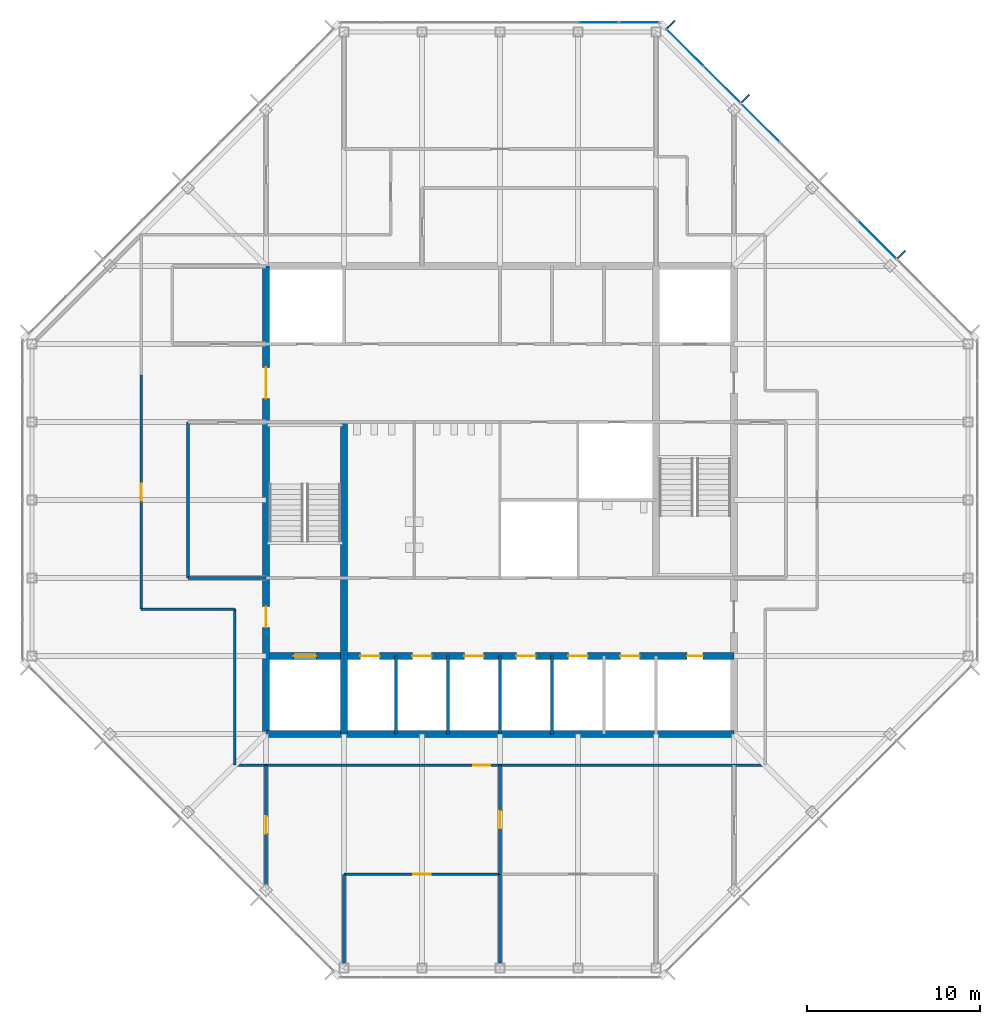
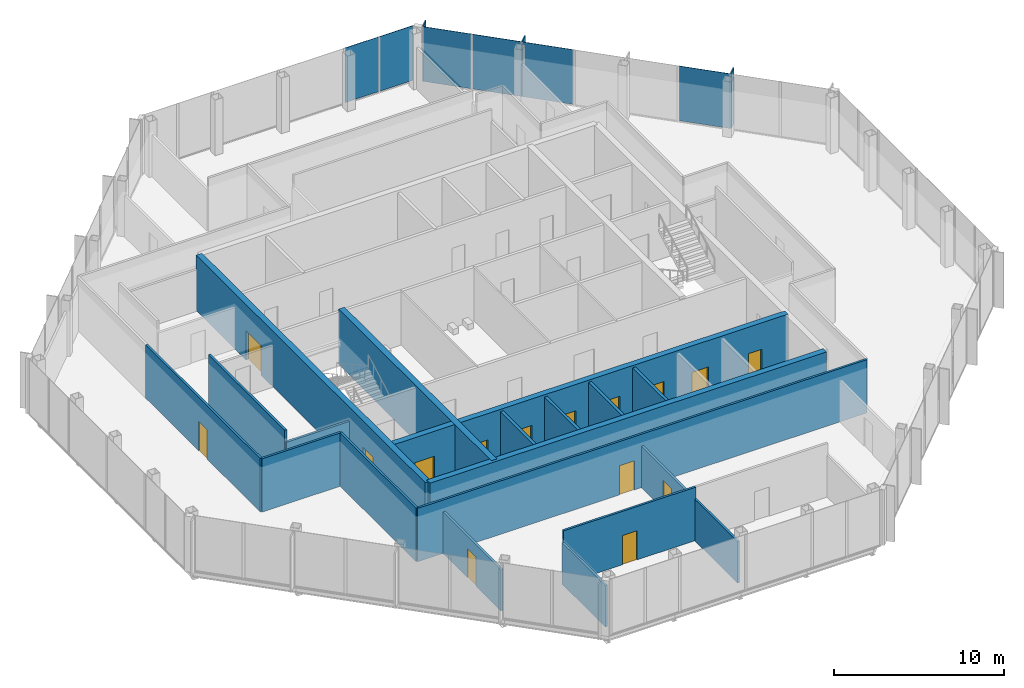
# One storey, part 9 of 13: 19 walls, 15 doors, 9 plates, 15 openings, 2 elements without a shape of their own.
"""IFC4 building model written with IfcOpenShell, lengths in metres."""

from ifc_helpers import new_model, si_unit, direction, frame, frame_2d, origin, origin_2d, place, context, subcontext, project, spatial, rectangle, extrude, material, layer, layer_set, type_object, element, fill, aggregate, save


model = new_model("IFC4")

# Units and contexts
model_context = context("Model", 3, precision=1e-05, world=origin(), true_north=direction((0.0, 1.0)))
body_context = subcontext(model_context, "Body", "Model", "MODEL_VIEW")
ifc_project = project(units=[si_unit("LENGTHUNIT", "METRE"), si_unit("AREAUNIT", "SQUARE_METRE"), si_unit("VOLUMEUNIT", "CUBIC_METRE"), si_unit("PLANEANGLEUNIT", "RADIAN"), si_unit("MASSUNIT", "GRAM", prefix="KILO")], contexts=[model_context])

# Site, building, storey
site_placement = place(None, origin())
site = spatial("IfcSite", under=ifc_project, at=site_placement, CompositionType="ELEMENT")
building_placement = place(site_placement, origin())
building = spatial("IfcBuilding", under=site, at=building_placement, Name="Corais Broadcast Tower", CompositionType="ELEMENT")
storey_placement = place(building_placement, frame((0.0, 0.0, 302.60009765625)))
storey = spatial("IfcBuildingStorey", under=building, at=storey_placement, Name="L71", CompositionType="ELEMENT", Elevation=302.60009765625)

# Curtain wall, plate
ifc_material_1 = material(Name="Aluminium and glass", Category="aluminium")
curtain_wall_type = type_object("IfcCurtainWallType", Name="Unitised fritted curtain wall CW3", PredefinedType="NOTDEFINED", material=ifc_material_1)
curtain_wall_1_placement = place(storey_placement, origin())
curtain_wall_1 = element("IfcCurtainWall", 1, at=curtain_wall_1_placement, inside=storey, type_object=curtain_wall_type, Name="CW3 curtain wall L71 4", PredefinedType="NOTDEFINED")
ifc_material_2 = material(Name="Ceramic-fritted laminated glass", Category="glass")
ifc_layer_1 = layer(ifc_material_2, 0.02587890625)
ifc_layer_set_1 = layer_set([ifc_layer_1], Name="Ceramic-fritted laminated glass")
plate_type_1 = type_object("IfcPlateType", Name="Fritted glass panel CW3", PredefinedType="CURTAIN_PANEL", material=ifc_layer_set_1)
plate_1_placement = place(storey_placement, frame((32.681884765625, 54.550048828125, 0.06494140625), z_axis=(0.0, 0.0, 1.0), x_axis=(1.0, 0.0, 0.0)))
plate_1 = element("IfcPlate", 2, at=plate_1_placement, type_object=plate_type_1, Name="CW3 panel 5", PredefinedType="CURTAIN_PANEL", context=body_context, shape_type="SweptSolid", body=[
    extrude(rectangle(XDim=2.298828125, YDim=0.02587890625, at=origin_2d()), origin(), (0.0, 0.0, 1.0), 3.93505859375),
])

# Curtain wall, plates
curtain_wall_2_placement = place(storey_placement, origin())
curtain_wall_2 = element("IfcCurtainWall", 3, at=curtain_wall_2_placement, inside=storey, type_object=curtain_wall_type, Name="CW3 curtain wall L71 5", PredefinedType="NOTDEFINED")
plate_2_placement = place(storey_placement, frame((37.669677734375, 53.108154296875, 0.06494140625), z_axis=(0.0, 0.0, 1.0), x_axis=(0.707106781187, -0.707106781187, 0.0)))
plate_2 = element("IfcPlate", 4, at=plate_2_placement, type_object=plate_type_1, Name="CW3 panel 1", PredefinedType="CURTAIN_PANEL", context=body_context, shape_type="SweptSolid", body=[
    extrude(rectangle(XDim=2.9482421875, YDim=0.02587890625, at=origin_2d()), origin(), (0.0, 0.0, 1.0), 3.93505859375),
])
plate_3_placement = place(storey_placement, frame((42.013916015625, 48.763916015625, 0.06494140625), z_axis=(0.0, 0.0, 1.0), x_axis=(0.707106781187, -0.707106781187, 0.0)))
plate_3 = element("IfcPlate", 5, at=plate_3_placement, type_object=plate_type_1, Name="CW3 panel 3", PredefinedType="CURTAIN_PANEL", context=body_context, shape_type="SweptSolid", body=[
    extrude(rectangle(XDim=3.116943359375, YDim=0.02587890625, at=origin_2d()), origin(), (0.0, 0.0, 1.0), 3.93505859375),
])

# Plate
ifc_material_3 = material(Name="Clear laminated glass", Category="glass")
ifc_layer_2 = layer(ifc_material_3, 0.030029296875)
ifc_layer_set_2 = layer_set([ifc_layer_2], Name="Clear laminated glass")
plate_type_2 = type_object("IfcPlateType", Name="Operable glass panel CW3", PredefinedType="CURTAIN_PANEL", material=ifc_layer_set_2)
plate_4_placement = place(storey_placement, frame((35.029541015625, 54.550048828125, 0.06494140625), z_axis=(0.0, 0.0, 1.0), x_axis=(1.0, 0.0, 0.0)))
plate_4 = element("IfcPlate", 6, at=plate_4_placement, type_object=plate_type_2, Name="CW3 operable panel 6", PredefinedType="CURTAIN_PANEL", context=body_context, shape_type="SweptSolid", body=[
    extrude(rectangle(XDim=2.266357421875, YDim=0.030029296875, at=origin_2d()), origin(), (0.0, 0.0, 1.0), 3.93505859375),
])

aggregate(curtain_wall_1, [plate_1, plate_4])

plate_5_placement = place(storey_placement, frame((39.81201171875, 50.9658203125, 0.06494140625), z_axis=(0.0, 0.0, 1.0), x_axis=(0.707106781187, -0.707106781187, 0.0)))
plate_5 = element("IfcPlate", 7, at=plate_5_placement, type_object=plate_type_2, Name="CW3 operable panel 2", PredefinedType="CURTAIN_PANEL", context=body_context, shape_type="SweptSolid", body=[
    extrude(rectangle(XDim=2.98095703125, YDim=0.030029296875, at=origin_2d()), origin(), (0.0, 0.0, 1.0), 3.93505859375),
])

plate_6_placement = place(storey_placement, frame((48.763916015625, 42.013916015625, 0.06494140625), z_axis=(0.0, 0.0, 1.0), x_axis=(0.707106781187, -0.707106781187, 0.0)))
plate_6 = element("IfcPlate", 8, at=plate_6_placement, type_object=plate_type_2, Name="CW3 operable panel 6", PredefinedType="CURTAIN_PANEL", context=body_context, shape_type="SweptSolid", body=[
    extrude(rectangle(XDim=3.116943359375, YDim=0.030029296875, at=origin_2d()), origin(), (0.0, 0.0, 1.0), 3.93505859375),
])

aggregate(curtain_wall_2, [plate_2, plate_5, plate_3, plate_6])

# Plates
ifc_material_4 = material(Name="Granite stone cladding", Category="masonry")
ifc_layer_3 = layer(ifc_material_4, 0.080078125)
ifc_layer_set_3 = layer_set([ifc_layer_3], Name="Granite stone cladding")
plate_type_3 = type_object("IfcPlateType", Name="Stone screen fin 80x600", PredefinedType="USERDEFINED", material=ifc_layer_set_3)
for number, where, z_axis, x_axis, name in (
    (9, (36.870849609375, 54.43994140625, 0.0), (0.0, 0.0, 1.0), (0.707106781187, -0.707106781187, 0.0), "SF1 stone screen fin L71"),
    (10, (41.155517578125, 50.155517578125, 0.0), (0.0, 0.0, 1.0), (0.707106781187, -0.707106781187, 0.0), "SF1 stone screen fin L71"),
    (11, (50.155517578125, 41.155517578125, 0.0), (0.0, 0.0, 1.0), (0.707106781187, -0.707106781187, 0.0), "SF1 stone screen fin L71"),
):
    element("IfcPlate", number, at=place(storey_placement, frame(where, z_axis=z_axis, x_axis=x_axis)), inside=storey, type_object=plate_type_3, Name=name, ObjectType="STONE SCREEN FIN", PredefinedType="USERDEFINED", context=body_context, shape_type="SweptSolid", body=[
        extrude(rectangle(XDim=0.080078125, YDim=0.60009765625, at=origin_2d()), origin(), (0.0, 0.0, 1.0), 4.0),
    ])

# Wall
ifc_material_5 = material(Name="Concrete C50/60", Category="concrete")
ifc_layer_4 = layer(ifc_material_5, 0.39990234375)
ifc_layer_set_4 = layer_set([ifc_layer_4], Name="Concrete C50/60")
wall_type_1 = type_object("IfcWallType", Name="Core wall 400", PredefinedType="SHEAR", material=ifc_layer_set_4)
wall_1_placement = place(storey_placement, frame((13.5, 13.5, 0.0), z_axis=(0.0, 0.0, 1.0), x_axis=(1.0, 0.0, 0.0)))
element("IfcWall", 12, at=wall_1_placement, inside=storey, type_object=wall_type_1, Name="CR400 core wall S L71", PredefinedType="SHEAR", context=body_context, shape_type="SweptSolid", body=[
    extrude(rectangle(XDim=27.0, YDim=0.39990234375, at=frame_2d((13.5, 0.0))), origin(), (0.0, 0.0, 1.0), 4.0),
])

# Wall, openings, doors
wall_2_placement = place(storey_placement, frame((13.5, 40.5, 0.0), z_axis=(0.0, 0.0, 1.0), x_axis=(0.0, -1.0, 0.0)))
wall_2 = element("IfcWall", 13, at=wall_2_placement, inside=storey, type_object=wall_type_1, Name="CR400 core wall W L71", PredefinedType="SHEAR", context=body_context, shape_type="SweptSolid", body=[
    extrude(rectangle(XDim=27.0, YDim=0.39990234375, at=frame_2d((13.5, 0.0))), origin(), (0.0, 0.0, 1.0), 4.0),
])
opening_1_placement = place(wall_2_placement, frame((19.64990234375, 0.0, 0.0)))
opening_1 = element("IfcOpeningElement", 14, at=opening_1_placement, cuts=wall_2, Name="Opening FD1", PredefinedType="OPENING", context=body_context, shape_type="SweptSolid", body=[
    extrude(rectangle(XDim=1.199951171875, YDim=2.10009765625, at=frame_2d((0.60009765625, 1.050048828125))), frame((0.0, 0.2099609375, 0.0), z_axis=(0.0, -1.0, 0.0), x_axis=(1.0, 0.0, 0.0)), (0.0, 0.0, 1.0), 0.419921875),
])
opening_2_placement = place(wall_2_placement, frame((5.85009765625, 0.0, 0.0)))
opening_2 = element("IfcOpeningElement", 15, at=opening_2_placement, cuts=wall_2, Name="Opening FD2", PredefinedType="OPENING", context=body_context, shape_type="SweptSolid", body=[
    extrude(rectangle(XDim=1.800048828125, YDim=2.10009765625, at=frame_2d((0.89990234375, 1.050048828125))), frame((0.0, 0.2099609375, 0.0), z_axis=(0.0, -1.0, 0.0), x_axis=(1.0, 0.0, 0.0)), (0.0, 0.0, 1.0), 0.419921875),
])
ifc_material_6 = material(Name="Steel fire door", Category="steel")
door_type_1 = type_object("IfcDoorType", Name="Fire door 1200x2100", OperationType="SINGLE_SWING_LEFT", PredefinedType="DOOR", material=ifc_material_6)
door_1_placement = place(opening_1_placement, origin())
door_1 = element("IfcDoor", 16, at=door_1_placement, inside=storey, type_object=door_type_1, Name="FD1 fire lobby A door L71", OperationType="SINGLE_SWING_RIGHT", OverallHeight=2.10009765625, OverallWidth=1.199951171875, PredefinedType="DOOR", context=body_context, shape_type="SweptSolid", body=[
    extrude(rectangle(XDim=1.199951171875, YDim=2.10009765625, at=frame_2d((0.60009765625, 1.050048828125))), frame((0.0, 0.02490234375, 0.0), z_axis=(0.0, -1.0, 0.0), x_axis=(1.0, 0.0, 0.0)), (0.0, 0.0, 1.0), 0.050048828125),
])
fill(opening_1, door_1)
ifc_material_7 = material(Name="Steel fire door", Category="steel")
door_type_2 = type_object("IfcDoorType", Name="Fire door pair 1800x2100", OperationType="DOUBLE_DOOR_SINGLE_SWING", PredefinedType="DOOR", material=ifc_material_7)
door_2_placement = place(opening_2_placement, origin())
door_2 = element("IfcDoor", 17, at=door_2_placement, inside=storey, type_object=door_type_2, Name="FD2 lift lobby door L71", OperationType="SINGLE_SWING_LEFT", OverallHeight=2.10009765625, OverallWidth=1.800048828125, PredefinedType="DOOR", context=body_context, shape_type="SweptSolid", body=[
    extrude(rectangle(XDim=1.800048828125, YDim=2.10009765625, at=frame_2d((0.89990234375, 1.050048828125))), frame((0.0, 0.02490234375, 0.0), z_axis=(0.0, -1.0, 0.0), x_axis=(1.0, 0.0, 0.0)), (0.0, 0.0, 1.0), 0.050048828125),
])
fill(opening_2, door_2)

# Wall
wall_3_placement = place(storey_placement, frame((18.0, 13.5, 0.0), z_axis=(0.0, 0.0, 1.0), x_axis=(0.0, 1.0, 0.0)))
element("IfcWall", 18, at=wall_3_placement, inside=storey, type_object=wall_type_1, Name="CR400 core wall X18A L71", PredefinedType="SHEAR", context=body_context, shape_type="SweptSolid", body=[
    extrude(rectangle(XDim=18.0, YDim=0.39990234375, at=frame_2d((9.0, 0.0))), origin(), (0.0, 0.0, 1.0), 4.0),
])

# Wall, openings, doors
wall_4_placement = place(storey_placement, frame((13.5, 18.0, 0.0), z_axis=(0.0, 0.0, 1.0), x_axis=(1.0, 0.0, 0.0)))
wall_4 = element("IfcWall", 19, at=wall_4_placement, inside=storey, type_object=wall_type_1, Name="CR400 core wall Y18 L71", PredefinedType="SHEAR", context=body_context, shape_type="SweptSolid", body=[
    extrude(rectangle(XDim=27.0, YDim=0.39990234375, at=frame_2d((13.5, 0.0))), origin(), (0.0, 0.0, 1.0), 4.0),
])
opening_3_placement = place(wall_4_placement, frame((24.300048828125, 0.0, 0.0)))
opening_3 = element("IfcOpeningElement", 20, at=opening_3_placement, cuts=wall_4, Name="Opening RD1", PredefinedType="OPENING", context=body_context, shape_type="SweptSolid", body=[
    extrude(rectangle(XDim=0.89990234375, YDim=2.10009765625, at=frame_2d((0.449951171875, 1.050048828125))), frame((0.0, 0.2099609375, 0.0), z_axis=(0.0, -1.0, 0.0), x_axis=(1.0, 0.0, 0.0)), (0.0, 0.0, 1.0), 0.419921875),
])
opening_4_placement = place(wall_4_placement, frame((5.449951171875, 0.0, 0.0)))
opening_4 = element("IfcOpeningElement", 21, at=opening_4_placement, cuts=wall_4, Name="Opening LD1", PredefinedType="OPENING", context=body_context, shape_type="SweptSolid", body=[
    extrude(rectangle(XDim=1.10009765625, YDim=2.10009765625, at=frame_2d((0.550048828125, 1.050048828125))), frame((0.0, 0.2099609375, 0.0), z_axis=(0.0, -1.0, 0.0), x_axis=(1.0, 0.0, 0.0)), (0.0, 0.0, 1.0), 0.419921875),
])
opening_5_placement = place(wall_4_placement, frame((8.449951171875, 0.0, 0.0)))
opening_5 = element("IfcOpeningElement", 22, at=opening_5_placement, cuts=wall_4, Name="Opening LD1", PredefinedType="OPENING", context=body_context, shape_type="SweptSolid", body=[
    extrude(rectangle(XDim=1.10009765625, YDim=2.10009765625, at=frame_2d((0.550048828125, 1.050048828125))), frame((0.0, 0.2099609375, 0.0), z_axis=(0.0, -1.0, 0.0), x_axis=(1.0, 0.0, 0.0)), (0.0, 0.0, 1.0), 0.419921875),
])
opening_6_placement = place(wall_4_placement, frame((11.449951171875, 0.0, 0.0)))
opening_6 = element("IfcOpeningElement", 23, at=opening_6_placement, cuts=wall_4, Name="Opening LD1", PredefinedType="OPENING", context=body_context, shape_type="SweptSolid", body=[
    extrude(rectangle(XDim=1.10009765625, YDim=2.10009765625, at=frame_2d((0.550048828125, 1.050048828125))), frame((0.0, 0.2099609375, 0.0), z_axis=(0.0, -1.0, 0.0), x_axis=(1.0, 0.0, 0.0)), (0.0, 0.0, 1.0), 0.419921875),
])
opening_7_placement = place(wall_4_placement, frame((14.449951171875, 0.0, 0.0)))
opening_7 = element("IfcOpeningElement", 24, at=opening_7_placement, cuts=wall_4, Name="Opening LD1", PredefinedType="OPENING", context=body_context, shape_type="SweptSolid", body=[
    extrude(rectangle(XDim=1.10009765625, YDim=2.10009765625, at=frame_2d((0.550048828125, 1.050048828125))), frame((0.0, 0.2099609375, 0.0), z_axis=(0.0, -1.0, 0.0), x_axis=(1.0, 0.0, 0.0)), (0.0, 0.0, 1.0), 0.419921875),
])
opening_8_placement = place(wall_4_placement, frame((17.449951171875, 0.0, 0.0)))
opening_8 = element("IfcOpeningElement", 25, at=opening_8_placement, cuts=wall_4, Name="Opening LD1", PredefinedType="OPENING", context=body_context, shape_type="SweptSolid", body=[
    extrude(rectangle(XDim=1.10009765625, YDim=2.10009765625, at=frame_2d((0.550048828125, 1.050048828125))), frame((0.0, 0.2099609375, 0.0), z_axis=(0.0, -1.0, 0.0), x_axis=(1.0, 0.0, 0.0)), (0.0, 0.0, 1.0), 0.419921875),
])
opening_9_placement = place(wall_4_placement, frame((20.449951171875, 0.0, 0.0)))
opening_9 = element("IfcOpeningElement", 26, at=opening_9_placement, cuts=wall_4, Name="Opening LD1", PredefinedType="OPENING", context=body_context, shape_type="SweptSolid", body=[
    extrude(rectangle(XDim=1.10009765625, YDim=2.10009765625, at=frame_2d((0.550048828125, 1.050048828125))), frame((0.0, 0.2099609375, 0.0), z_axis=(0.0, -1.0, 0.0), x_axis=(1.0, 0.0, 0.0)), (0.0, 0.0, 1.0), 0.419921875),
])
opening_10_placement = place(wall_4_placement, frame((1.60009765625, 0.0, 0.0)))
opening_10 = element("IfcOpeningElement", 27, at=opening_10_placement, cuts=wall_4, Name="Opening LD2", PredefinedType="OPENING", context=body_context, shape_type="SweptSolid", body=[
    extrude(rectangle(XDim=1.300048828125, YDim=2.199951171875, at=frame_2d((0.64990234375, 1.10009765625))), frame((0.0, 0.2099609375, 0.0), z_axis=(0.0, -1.0, 0.0), x_axis=(1.0, 0.0, 0.0)), (0.0, 0.0, 1.0), 0.419921875),
])
ifc_material_8 = material(Name="Stainless steel lift door", Category="steel")
door_type_3 = type_object("IfcDoorType", Name="Lift landing door 1100x2100", OperationType="SLIDING_TO_LEFT", PredefinedType="DOOR", material=ifc_material_8)
door_3_placement = place(opening_4_placement, origin())
door_3 = element("IfcDoor", 28, at=door_3_placement, inside=storey, type_object=door_type_3, Name="LD1 PH1 landing door L71", OperationType="SLIDING_TO_LEFT", OverallHeight=2.10009765625, OverallWidth=1.10009765625, PredefinedType="DOOR", context=body_context, shape_type="SweptSolid", body=[
    extrude(rectangle(XDim=1.10009765625, YDim=2.10009765625, at=frame_2d((0.550048828125, 1.050048828125))), frame((0.0, 0.02490234375, 0.0), z_axis=(0.0, -1.0, 0.0), x_axis=(1.0, 0.0, 0.0)), (0.0, 0.0, 1.0), 0.050048828125),
])
fill(opening_4, door_3)
door_4_placement = place(opening_5_placement, origin())
door_4 = element("IfcDoor", 29, at=door_4_placement, inside=storey, type_object=door_type_3, Name="LD1 PH2 landing door L71", OperationType="SLIDING_TO_LEFT", OverallHeight=2.10009765625, OverallWidth=1.10009765625, PredefinedType="DOOR", context=body_context, shape_type="SweptSolid", body=[
    extrude(rectangle(XDim=1.10009765625, YDim=2.10009765625, at=frame_2d((0.550048828125, 1.050048828125))), frame((0.0, 0.02490234375, 0.0), z_axis=(0.0, -1.0, 0.0), x_axis=(1.0, 0.0, 0.0)), (0.0, 0.0, 1.0), 0.050048828125),
])
fill(opening_5, door_4)
door_5_placement = place(opening_6_placement, origin())
door_5 = element("IfcDoor", 30, at=door_5_placement, inside=storey, type_object=door_type_3, Name="LD1 PH3 landing door L71", OperationType="SLIDING_TO_LEFT", OverallHeight=2.10009765625, OverallWidth=1.10009765625, PredefinedType="DOOR", context=body_context, shape_type="SweptSolid", body=[
    extrude(rectangle(XDim=1.10009765625, YDim=2.10009765625, at=frame_2d((0.550048828125, 1.050048828125))), frame((0.0, 0.02490234375, 0.0), z_axis=(0.0, -1.0, 0.0), x_axis=(1.0, 0.0, 0.0)), (0.0, 0.0, 1.0), 0.050048828125),
])
fill(opening_6, door_5)
door_6_placement = place(opening_7_placement, origin())
door_6 = element("IfcDoor", 31, at=door_6_placement, inside=storey, type_object=door_type_3, Name="LD1 PH4 landing door L71", OperationType="SLIDING_TO_LEFT", OverallHeight=2.10009765625, OverallWidth=1.10009765625, PredefinedType="DOOR", context=body_context, shape_type="SweptSolid", body=[
    extrude(rectangle(XDim=1.10009765625, YDim=2.10009765625, at=frame_2d((0.550048828125, 1.050048828125))), frame((0.0, 0.02490234375, 0.0), z_axis=(0.0, -1.0, 0.0), x_axis=(1.0, 0.0, 0.0)), (0.0, 0.0, 1.0), 0.050048828125),
])
fill(opening_7, door_6)
door_7_placement = place(opening_8_placement, origin())
door_7 = element("IfcDoor", 32, at=door_7_placement, inside=storey, type_object=door_type_3, Name="LD1 PH5 landing door L71", OperationType="SLIDING_TO_LEFT", OverallHeight=2.10009765625, OverallWidth=1.10009765625, PredefinedType="DOOR", context=body_context, shape_type="SweptSolid", body=[
    extrude(rectangle(XDim=1.10009765625, YDim=2.10009765625, at=frame_2d((0.550048828125, 1.050048828125))), frame((0.0, 0.02490234375, 0.0), z_axis=(0.0, -1.0, 0.0), x_axis=(1.0, 0.0, 0.0)), (0.0, 0.0, 1.0), 0.050048828125),
])
fill(opening_8, door_7)
door_8_placement = place(opening_9_placement, origin())
door_8 = element("IfcDoor", 33, at=door_8_placement, inside=storey, type_object=door_type_3, Name="LD1 PH6 landing door L71", OperationType="SLIDING_TO_LEFT", OverallHeight=2.10009765625, OverallWidth=1.10009765625, PredefinedType="DOOR", context=body_context, shape_type="SweptSolid", body=[
    extrude(rectangle(XDim=1.10009765625, YDim=2.10009765625, at=frame_2d((0.550048828125, 1.050048828125))), frame((0.0, 0.02490234375, 0.0), z_axis=(0.0, -1.0, 0.0), x_axis=(1.0, 0.0, 0.0)), (0.0, 0.0, 1.0), 0.050048828125),
])
fill(opening_9, door_8)
ifc_material_9 = material(Name="Stainless steel lift door", Category="steel")
door_type_4 = type_object("IfcDoorType", Name="Lift landing door 1300x2200", OperationType="SLIDING_TO_LEFT", PredefinedType="DOOR", material=ifc_material_9)
door_9_placement = place(opening_10_placement, origin())
door_9 = element("IfcDoor", 34, at=door_9_placement, inside=storey, type_object=door_type_4, Name="LD2 FL1 landing door L71", OperationType="SLIDING_TO_LEFT", OverallHeight=2.199951171875, OverallWidth=1.300048828125, PredefinedType="DOOR", context=body_context, shape_type="SweptSolid", body=[
    extrude(rectangle(XDim=1.300048828125, YDim=2.199951171875, at=frame_2d((0.64990234375, 1.10009765625))), frame((0.0, 0.02490234375, 0.0), z_axis=(0.0, -1.0, 0.0), x_axis=(1.0, 0.0, 0.0)), (0.0, 0.0, 1.0), 0.050048828125),
])
fill(opening_10, door_9)
ifc_material_10 = material(Name="Steel fire door", Category="steel")
door_type_5 = type_object("IfcDoorType", Name="Riser door 900x2100", OperationType="SINGLE_SWING_LEFT", PredefinedType="DOOR", material=ifc_material_10)
door_10_placement = place(opening_3_placement, origin())
door_10 = element("IfcDoor", 35, at=door_10_placement, inside=storey, type_object=door_type_5, Name="RD1 riser door L71", OperationType="SINGLE_SWING_RIGHT", OverallHeight=2.10009765625, OverallWidth=0.89990234375, PredefinedType="DOOR", context=body_context, shape_type="SweptSolid", body=[
    extrude(rectangle(XDim=0.89990234375, YDim=2.10009765625, at=frame_2d((0.449951171875, 1.050048828125))), frame((0.0, 0.02490234375, 0.0), z_axis=(0.0, -1.0, 0.0), x_axis=(1.0, 0.0, 0.0)), (0.0, 0.0, 1.0), 0.050048828125),
])
fill(opening_3, door_10)

# Wall, opening, door
ifc_material_11 = material(Name="Gypsum board on steel studs", Category="steel")
ifc_layer_5 = layer(ifc_material_11, 0.14990234375)
ifc_layer_set_5 = layer_set([ifc_layer_5], Name="Gypsum board on steel studs")
wall_type_2 = type_object("IfcWallType", Name="Partition 150", PredefinedType="PARTITIONING", material=ifc_layer_set_5)
wall_5_placement = place(storey_placement, frame((11.699951171875, 11.699951171875, 0.0), z_axis=(0.0, 0.0, 1.0), x_axis=(1.0, 0.0, 0.0)))
wall_5 = element("IfcWall", 36, at=wall_5_placement, inside=storey, type_object=wall_type_2, Name="IW3 corridor wall L71", PredefinedType="PARTITIONING", context=body_context, shape_type="SweptSolid", body=[
    extrude(rectangle(XDim=30.60009765625, YDim=0.14990234375, at=frame_2d((15.300048828125, 0.0))), origin(), (0.0, 0.0, 1.0), 3.83984375),
])
opening_11_placement = place(wall_5_placement, frame((13.75, 0.0, 0.0)))
opening_11 = element("IfcOpeningElement", 37, at=opening_11_placement, cuts=wall_5, Name="Opening D1", PredefinedType="OPENING", context=body_context, shape_type="SweptSolid", body=[
    extrude(rectangle(XDim=1.0, YDim=2.10009765625, at=frame_2d((0.5, 1.050048828125))), frame((0.0, 0.0849609375, 0.0), z_axis=(0.0, -1.0, 0.0), x_axis=(1.0, 0.0, 0.0)), (0.0, 0.0, 1.0), 0.169921875),
])
ifc_material_12 = material(Name="Timber door", Category="wood")
door_type_6 = type_object("IfcDoorType", Name="Single door 1000x2100", OperationType="SINGLE_SWING_LEFT", PredefinedType="DOOR", material=ifc_material_12)
door_11_placement = place(opening_11_placement, origin())
door_11 = element("IfcDoor", 38, at=door_11_placement, inside=storey, type_object=door_type_6, Name="D1 workplace door L71", OperationType="SINGLE_SWING_LEFT", OverallHeight=2.10009765625, OverallWidth=1.0, PredefinedType="DOOR", context=body_context, shape_type="SweptSolid", body=[
    extrude(rectangle(XDim=1.0, YDim=2.10009765625, at=frame_2d((0.5, 1.050048828125))), frame((0.0, 0.02490234375, 0.0), z_axis=(0.0, -1.0, 0.0), x_axis=(1.0, 0.0, 0.0)), (0.0, 0.0, 1.0), 0.050048828125),
])
fill(opening_11, door_11)

wall_6_placement = place(storey_placement, frame((6.300048828125, 34.199951171875, 0.0), z_axis=(0.0, 0.0, 1.0), x_axis=(0.0, -1.0, 0.0)))
wall_6 = element("IfcWall", 39, at=wall_6_placement, inside=storey, type_object=wall_type_2, Name="IW3 corridor wall L71", PredefinedType="PARTITIONING", context=body_context, shape_type="SweptSolid", body=[
    extrude(rectangle(XDim=13.5, YDim=0.14990234375, at=frame_2d((6.75, 0.0))), origin(), (0.0, 0.0, 1.0), 3.83984375),
])
opening_12_placement = place(wall_6_placement, frame((6.25, 0.0, 0.0)))
opening_12 = element("IfcOpeningElement", 40, at=opening_12_placement, cuts=wall_6, Name="Opening D1", PredefinedType="OPENING", context=body_context, shape_type="SweptSolid", body=[
    extrude(rectangle(XDim=1.0, YDim=2.10009765625, at=frame_2d((0.5, 1.050048828125))), frame((0.0, 0.0849609375, 0.0), z_axis=(0.0, -1.0, 0.0), x_axis=(1.0, 0.0, 0.0)), (0.0, 0.0, 1.0), 0.169921875),
])
door_12_placement = place(opening_12_placement, origin())
door_12 = element("IfcDoor", 41, at=door_12_placement, inside=storey, type_object=door_type_6, Name="D1 workplace door L71", OperationType="SINGLE_SWING_LEFT", OverallHeight=2.10009765625, OverallWidth=1.0, PredefinedType="DOOR", context=body_context, shape_type="SweptSolid", body=[
    extrude(rectangle(XDim=1.0, YDim=2.10009765625, at=frame_2d((0.5, 1.050048828125))), frame((0.0, 0.02490234375, 0.0), z_axis=(0.0, -1.0, 0.0), x_axis=(1.0, 0.0, 0.0)), (0.0, 0.0, 1.0), 0.050048828125),
])
fill(opening_12, door_12)

# Walls
wall_7_placement = place(storey_placement, frame((11.699951171875, 20.699951171875, 0.0), z_axis=(0.0, 0.0, 1.0), x_axis=(0.0, -1.0, 0.0)))
element("IfcWall", 42, at=wall_7_placement, inside=storey, type_object=wall_type_2, Name="IW3 corridor wall L71", PredefinedType="PARTITIONING", context=body_context, shape_type="SweptSolid", body=[
    extrude(rectangle(XDim=9.0, YDim=0.14990234375, at=frame_2d((4.5, 0.0))), origin(), (0.0, 0.0, 1.0), 3.83984375),
])
wall_8_placement = place(storey_placement, frame((6.300048828125, 20.699951171875, 0.0), z_axis=(0.0, 0.0, 1.0), x_axis=(1.0, 0.0, 0.0)))
element("IfcWall", 43, at=wall_8_placement, inside=storey, type_object=wall_type_2, Name="IW3 corridor wall L71", PredefinedType="PARTITIONING", context=body_context, shape_type="SweptSolid", body=[
    extrude(rectangle(XDim=5.39990234375, YDim=0.14990234375, at=frame_2d((2.699951171875, 0.0))), origin(), (0.0, 0.0, 1.0), 3.83984375),
])
wall_9_placement = place(storey_placement, frame((27.0, 0.284912109375, 0.0), z_axis=(0.0, 0.0, 1.0), x_axis=(0.0, 1.0, 0.0)))
element("IfcWall", 44, at=wall_9_placement, inside=storey, type_object=wall_type_2, Name="IW3 partition L71", PredefinedType="PARTITIONING", context=body_context, shape_type="SweptSolid", body=[
    extrude(rectangle(XDim=5.114990234375, YDim=0.14990234375, at=frame_2d((2.5576171875, 0.0))), origin(), (0.0, 0.0, 1.0), 2.989013671875),
])

# Wall, opening, door
wall_10_placement = place(storey_placement, frame((27.0, 5.39990234375, 0.0), z_axis=(0.0, 0.0, 1.0), x_axis=(-1.0, 0.0, 0.0)))
wall_10 = element("IfcWall", 45, at=wall_10_placement, inside=storey, type_object=wall_type_2, Name="IW3 partition L71", PredefinedType="PARTITIONING", context=body_context, shape_type="SweptSolid", body=[
    extrude(rectangle(XDim=9.0, YDim=0.14990234375, at=frame_2d((4.5, 0.0))), origin(), (0.0, 0.0, 1.0), 3.83984375),
])
opening_13_placement = place(wall_10_placement, frame((4.0, 0.0, 0.0)))
opening_13 = element("IfcOpeningElement", 46, at=opening_13_placement, cuts=wall_10, Name="Opening D1", PredefinedType="OPENING", context=body_context, shape_type="SweptSolid", body=[
    extrude(rectangle(XDim=1.0, YDim=2.10009765625, at=frame_2d((0.5, 1.050048828125))), frame((0.0, 0.0849609375, 0.0), z_axis=(0.0, -1.0, 0.0), x_axis=(1.0, 0.0, 0.0)), (0.0, 0.0, 1.0), 0.169921875),
])
door_13_placement = place(opening_13_placement, origin())
door_13 = element("IfcDoor", 47, at=door_13_placement, inside=storey, type_object=door_type_6, Name="D1 Hospitality meeting room door", OperationType="SINGLE_SWING_LEFT", OverallHeight=2.10009765625, OverallWidth=1.0, PredefinedType="DOOR", context=body_context, shape_type="SweptSolid", body=[
    extrude(rectangle(XDim=1.0, YDim=2.10009765625, at=frame_2d((0.5, 1.050048828125))), frame((0.0, 0.02490234375, 0.0), z_axis=(0.0, -1.0, 0.0), x_axis=(1.0, 0.0, 0.0)), (0.0, 0.0, 1.0), 0.050048828125),
])
fill(opening_13, door_13)

# Walls
wall_11_placement = place(storey_placement, frame((18.0, 5.39990234375, 0.0), z_axis=(0.0, 0.0, 1.0), x_axis=(0.0, -1.0, 0.0)))
element("IfcWall", 48, at=wall_11_placement, inside=storey, type_object=wall_type_2, Name="IW3 partition L71", PredefinedType="PARTITIONING", context=body_context, shape_type="SweptSolid", body=[
    extrude(rectangle(XDim=5.114990234375, YDim=0.14990234375, at=frame_2d((2.5576171875, 0.0))), origin(), (0.0, 0.0, 1.0), 2.989013671875),
])
wall_12_placement = place(storey_placement, frame((9.0, 22.5, 0.0), z_axis=(0.0, 0.0, 1.0), x_axis=(1.0, 0.0, 0.0)))
element("IfcWall", 49, at=wall_12_placement, inside=storey, type_object=wall_type_2, Name="IW3 partition L71", PredefinedType="PARTITIONING", context=body_context, shape_type="SweptSolid", body=[
    extrude(rectangle(XDim=4.5, YDim=0.14990234375, at=frame_2d((2.25, 0.0))), origin(), (0.0, 0.0, 1.0), 2.989013671875),
])
wall_13_placement = place(storey_placement, frame((9.0, 31.5, 0.0), z_axis=(0.0, 0.0, 1.0), x_axis=(0.0, -1.0, 0.0)))
element("IfcWall", 50, at=wall_13_placement, inside=storey, type_object=wall_type_2, Name="IW3 partition L71", PredefinedType="PARTITIONING", context=body_context, shape_type="SweptSolid", body=[
    extrude(rectangle(XDim=9.0, YDim=0.14990234375, at=frame_2d((4.5, 0.0))), origin(), (0.0, 0.0, 1.0), 3.83984375),
])

# Wall, opening, door
wall_14_placement = place(storey_placement, frame((13.5, 4.794921875, 0.0), z_axis=(0.0, 0.0, 1.0), x_axis=(0.0, 1.0, 0.0)))
wall_14 = element("IfcWall", 51, at=wall_14_placement, inside=storey, type_object=wall_type_2, Name="IW3 partition L71", PredefinedType="PARTITIONING", context=body_context, shape_type="SweptSolid", body=[
    extrude(rectangle(XDim=6.905029296875, YDim=0.14990234375, at=frame_2d((3.45263671875, 0.0))), origin(), (0.0, 0.0, 1.0), 2.989013671875),
])
opening_14_placement = place(wall_14_placement, frame((2.952392578125, 0.0, 0.0)))
opening_14 = element("IfcOpeningElement", 52, at=opening_14_placement, cuts=wall_14, Name="Opening D1", PredefinedType="OPENING", context=body_context, shape_type="SweptSolid", body=[
    extrude(rectangle(XDim=1.0, YDim=2.10009765625, at=frame_2d((0.5, 1.050048828125))), frame((0.0, 0.0849609375, 0.0), z_axis=(0.0, -1.0, 0.0), x_axis=(1.0, 0.0, 0.0)), (0.0, 0.0, 1.0), 0.169921875),
])
door_14_placement = place(opening_14_placement, origin())
door_14 = element("IfcDoor", 53, at=door_14_placement, inside=storey, type_object=door_type_6, Name="D1 team room door L71", OperationType="SINGLE_SWING_LEFT", OverallHeight=2.10009765625, OverallWidth=1.0, PredefinedType="DOOR", context=body_context, shape_type="SweptSolid", body=[
    extrude(rectangle(XDim=1.0, YDim=2.10009765625, at=frame_2d((0.5, 1.050048828125))), frame((0.0, 0.02490234375, 0.0), z_axis=(0.0, -1.0, 0.0), x_axis=(1.0, 0.0, 0.0)), (0.0, 0.0, 1.0), 0.050048828125),
])
fill(opening_14, door_14)

wall_15_placement = place(storey_placement, frame((27.0, 11.699951171875, 0.0), z_axis=(0.0, 0.0, 1.0), x_axis=(0.0, -1.0, 0.0)))
wall_15 = element("IfcWall", 54, at=wall_15_placement, inside=storey, type_object=wall_type_2, Name="IW3 partition L71", PredefinedType="PARTITIONING", context=body_context, shape_type="SweptSolid", body=[
    extrude(rectangle(XDim=6.300048828125, YDim=0.14990234375, at=frame_2d((3.14990234375, 0.0))), origin(), (0.0, 0.0, 1.0), 2.989013671875),
])
opening_15_placement = place(wall_15_placement, frame((2.64990234375, 0.0, 0.0)))
opening_15 = element("IfcOpeningElement", 55, at=opening_15_placement, cuts=wall_15, Name="Opening D1", PredefinedType="OPENING", context=body_context, shape_type="SweptSolid", body=[
    extrude(rectangle(XDim=1.0, YDim=2.10009765625, at=frame_2d((0.5, 1.050048828125))), frame((0.0, 0.0849609375, 0.0), z_axis=(0.0, -1.0, 0.0), x_axis=(1.0, 0.0, 0.0)), (0.0, 0.0, 1.0), 0.169921875),
])
door_15_placement = place(opening_15_placement, origin())
door_15 = element("IfcDoor", 56, at=door_15_placement, inside=storey, type_object=door_type_6, Name="D1 team room door L71", OperationType="SINGLE_SWING_LEFT", OverallHeight=2.10009765625, OverallWidth=1.0, PredefinedType="DOOR", context=body_context, shape_type="SweptSolid", body=[
    extrude(rectangle(XDim=1.0, YDim=2.10009765625, at=frame_2d((0.5, 1.050048828125))), frame((0.0, 0.02490234375, 0.0), z_axis=(0.0, -1.0, 0.0), x_axis=(1.0, 0.0, 0.0)), (0.0, 0.0, 1.0), 0.050048828125),
])
fill(opening_15, door_15)

# Walls
ifc_material_13 = material(Name="Concrete blockwork class A, grouted, two-hour", Category="masonry")
ifc_layer_6 = layer(ifc_material_13, 0.199951171875)
ifc_layer_set_6 = layer_set([ifc_layer_6], Name="Concrete blockwork class A, grouted, two-hour")
wall_type_3 = type_object("IfcWallType", Name="Shaft wall 200", PredefinedType="PARTITIONING", material=ifc_layer_set_6)
for number, where, z_axis, x_axis, name in (
    (57, (21.0, 13.5, 0.0), (0.0, 0.0, 1.0), (0.0, 1.0, 0.0), "IW1 shaft wall L71"),
    (58, (24.0, 13.5, 0.0), (0.0, 0.0, 1.0), (0.0, 1.0, 0.0), "IW1 shaft wall L71"),
    (59, (27.0, 13.5, 0.0), (0.0, 0.0, 1.0), (0.0, 1.0, 0.0), "IW1 shaft wall L71"),
    (60, (30.0, 13.5, 0.0), (0.0, 0.0, 1.0), (0.0, 1.0, 0.0), "IW1 shaft wall L71"),
):
    element("IfcWall", number, at=place(storey_placement, frame(where, z_axis=z_axis, x_axis=x_axis)), inside=storey, type_object=wall_type_3, Name=name, PredefinedType="PARTITIONING", context=body_context, shape_type="SweptSolid", body=[
        extrude(rectangle(XDim=4.5, YDim=0.199951171875, at=frame_2d((2.25, 0.0))), origin(), (0.0, 0.0, 1.0), 3.83984375),
    ])

save(model, "model.ifc")
